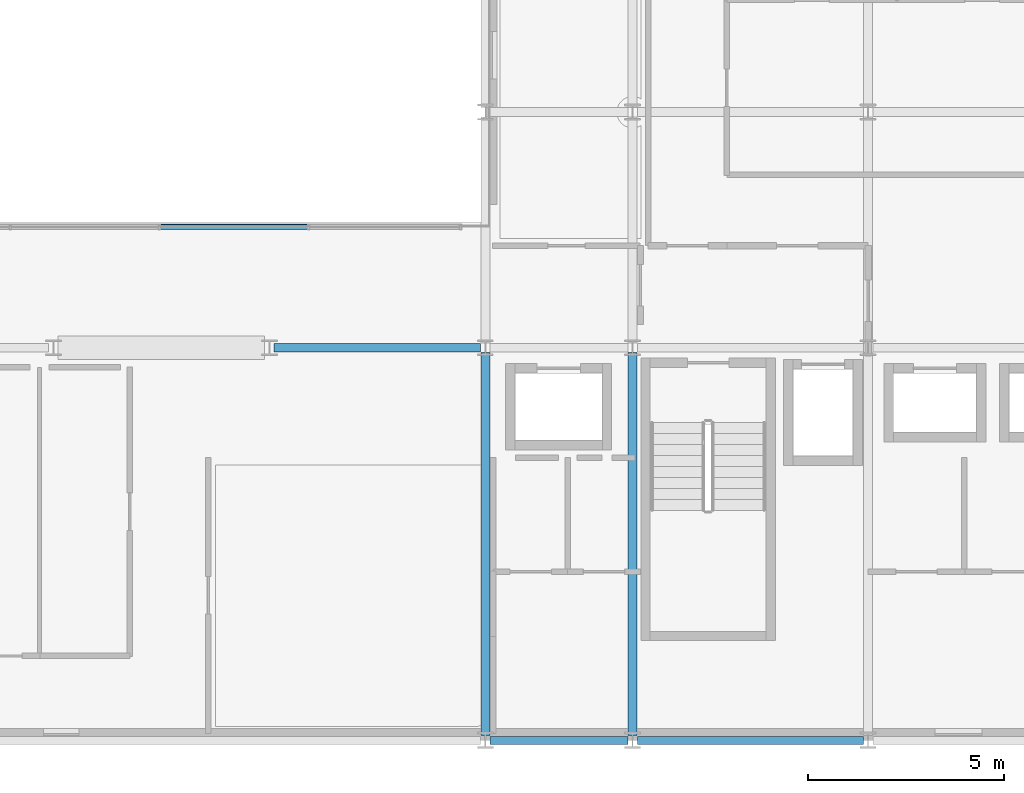
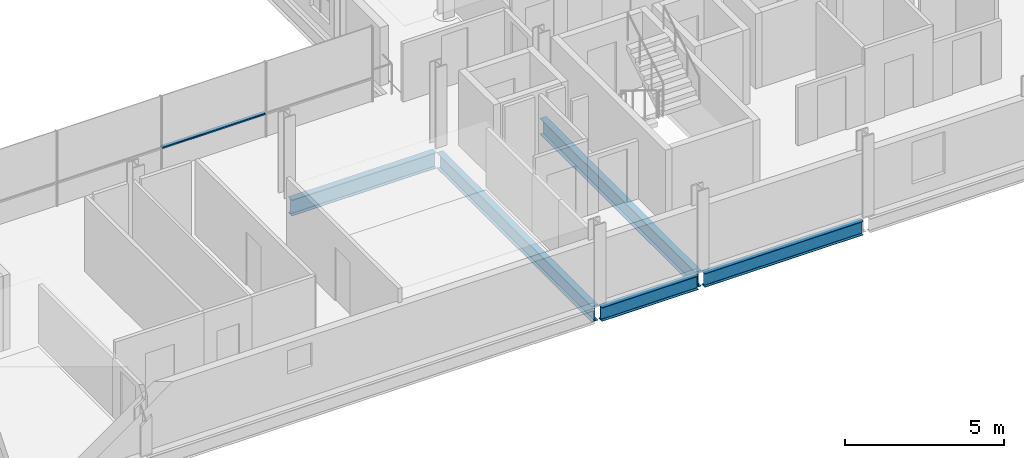
# One storey, part 14 of 40: 5 beams, 1 member, 1 element without a shape of its own.
"""IFC4 building model written with IfcOpenShell, lengths in metres."""

from ifc_helpers import new_model, si_unit, direction, frame, origin, origin_2d, place, context, subcontext, project, spatial, hollow_rectangle, i_section, extrude, material, layer, layer_set, material_profile, profile_set, type_object, element, aggregate, save


model = new_model("IFC4")

# Units and contexts
model_context = context("Model", 3, precision=1e-05, world=origin(), true_north=direction((0.0, 1.0)))
body_context = subcontext(model_context, "Body", "Model", "MODEL_VIEW")
ifc_project = project(units=[si_unit("LENGTHUNIT", "METRE"), si_unit("AREAUNIT", "SQUARE_METRE"), si_unit("VOLUMEUNIT", "CUBIC_METRE"), si_unit("PLANEANGLEUNIT", "RADIAN"), si_unit("MASSUNIT", "GRAM", prefix="KILO")], contexts=[model_context])

# Site, building, storey
site_placement = place(None, origin())
site = spatial("IfcSite", under=ifc_project, at=site_placement, CompositionType="ELEMENT")
building_placement = place(site_placement, origin())
building = spatial("IfcBuilding", under=site, at=building_placement, Name="Brevholm Reach", CompositionType="ELEMENT")
storey_placement = place(building_placement, frame((0.0, 0.0, 160.39990234375)))
storey = spatial("IfcBuildingStorey", under=building, at=storey_placement, Name="L48", CompositionType="ELEMENT", Elevation=160.39990234375)

# Beams
ifc_material_1 = material(Name="Structural Steel S355J2", Category="steel")
ifc_material_profile_1 = material_profile(ifc_material_1, i_section(OverallWidth=0.209228515625, OverallDepth=0.533203125, WebThickness=0.010009765625, FlangeThickness=0.015625, FilletRadius=0.0126953125, at=origin_2d()), Name="UKB 533x210x92")
ifc_profile_set_1 = profile_set([ifc_material_profile_1], Name="Structural Steel S355J2")
beam_type_1 = type_object("IfcBeamType", Name="BM-SP533", PredefinedType="SPANDREL", material=ifc_profile_set_1)
beam_1_placement = place(storey_placement, frame((38.3701171875, 0.0, -0.486572265625), z_axis=(1.0, 0.0, 0.0), x_axis=(0.0, 1.0, 0.0)))
element("IfcBeam", 1, at=beam_1_placement, inside=storey, type_object=beam_type_1, Name="L48 SP-02 Framing Beam", PredefinedType="SPANDREL", context=body_context, shape_type="SweptSolid", body=[
    extrude(i_section(OverallWidth=0.209228515625, OverallDepth=0.533203125, WebThickness=0.010009765625, FlangeThickness=0.015625, FilletRadius=0.0126953125, at=origin_2d()), origin(), (0.0, 0.0, 1.0), 3.509765625),
])
beam_2_placement = place(storey_placement, frame((42.1201171875, 0.0, -0.486572265625), z_axis=(1.0, 0.0, 0.0), x_axis=(0.0, 1.0, 0.0)))
element("IfcBeam", 2, at=beam_2_placement, inside=storey, type_object=beam_type_1, Name="L48 SP-02 Framing Beam", PredefinedType="SPANDREL", context=body_context, shape_type="SweptSolid", body=[
    extrude(i_section(OverallWidth=0.209228515625, OverallDepth=0.533203125, WebThickness=0.010009765625, FlangeThickness=0.015625, FilletRadius=0.0126953125, at=origin_2d()), origin(), (0.0, 0.0, 1.0), 5.759765625),
])
ifc_material_2 = material(Name="Structural Steel S355J2", Category="steel")
ifc_material_profile_2 = material_profile(ifc_material_2, i_section(OverallWidth=0.22900390625, OverallDepth=0.6123046875, WebThickness=0.011962890625, FlangeThickness=0.01953125, FilletRadius=0.0126953125, at=origin_2d()), Name="UKB 610x229x125")
ifc_profile_set_2 = profile_set([ifc_material_profile_2], Name="Structural Steel S355J2")
beam_type_2 = type_object("IfcBeamType", Name="BM-SP610", PredefinedType="SPANDREL", material=ifc_profile_set_2)
beam_3_placement = place(storey_placement, frame((32.8701171875, 10.0, -0.526123046875), z_axis=(1.0, 0.0, 0.0), x_axis=(0.0, 1.0, 0.0)))
element("IfcBeam", 3, at=beam_3_placement, inside=storey, type_object=beam_type_2, Name="L48 SP-01 Framing Beam", PredefinedType="SPANDREL", context=body_context, shape_type="SweptSolid", body=[
    extrude(i_section(OverallWidth=0.22900390625, OverallDepth=0.6123046875, WebThickness=0.011962890625, FlangeThickness=0.01953125, FilletRadius=0.0126953125, at=origin_2d()), origin(), (0.0, 0.0, 1.0), 5.259765625),
])
for number, where, z_axis, x_axis, name in (
    (4, (38.25, 0.1201171875, -0.526123046875), (0.0, 1.0, 0.0), (-1.0, 0.0, 0.0), "L48 SP-01 Framing Beam"),
    (5, (42.0, 0.1201171875, -0.526123046875), (0.0, 1.0, 0.0), (-1.0, 0.0, 0.0), "L48 SP-01 Framing Beam"),
):
    element("IfcBeam", number, at=place(storey_placement, frame(where, z_axis=z_axis, x_axis=x_axis)), inside=storey, type_object=beam_type_2, Name=name, PredefinedType="SPANDREL", context=body_context, shape_type="SweptSolid", body=[
        extrude(i_section(OverallWidth=0.22900390625, OverallDepth=0.6123046875, WebThickness=0.011962890625, FlangeThickness=0.01953125, FilletRadius=0.0126953125, at=origin_2d()), origin(), (0.0, 0.0, 1.0), 9.759765625),
    ])

# Curtain wall, member
ifc_material_3 = material(Name="Dark Anodised Aluminium 6063-T6 and Solar-Control Glass", Category="aluminium")
ifc_layer = layer(ifc_material_3, 0.139892578125)
ifc_layer_set = layer_set([ifc_layer], Name="Dark Anodised Aluminium 6063-T6 and Solar-Control Glass")
curtain_wall_type = type_object("IfcCurtainWallType", Name="CW-02", PredefinedType="NOTDEFINED", material=ifc_layer_set)
curtain_wall_placement = place(storey_placement, origin())
curtain_wall = element("IfcCurtainWall", 6, at=curtain_wall_placement, inside=storey, type_object=curtain_wall_type, Name="L48 Curtain Wall CW-02", PredefinedType="NOTDEFINED")
ifc_material_4 = material(Name="Dark Anodised Aluminium 6063-T6", Category="aluminium")
ifc_material_profile_3 = material_profile(ifc_material_4, hollow_rectangle(XDim=0.06005859375, YDim=0.139892578125, WallThickness=0.0048828125, InnerFilletRadius=0.0048828125, OuterFilletRadius=0.010009765625, at=origin_2d()), Name="RHS 140x60x5")
ifc_profile_set_3 = profile_set([ifc_material_profile_3], Name="Dark Anodised Aluminium 6063-T6")
member_type = type_object("IfcMemberType", Name="CWT-140", PredefinedType="NOTDEFINED", material=ifc_profile_set_3)
member_placement = place(storey_placement, frame((29.97998046875, 13.080078125, 0.900146484375), z_axis=(1.0, 0.0, 0.0), x_axis=(0.0, 0.0, 1.0)))
member = element("IfcMember", 7, at=member_placement, type_object=member_type, Name="CT-140 Transom 3.1", ObjectType="TRANSOM", PredefinedType="USERDEFINED", context=body_context, shape_type="SweptSolid", body=[
    extrude(hollow_rectangle(XDim=0.06005859375, YDim=0.139892578125, WallThickness=0.0048828125, InnerFilletRadius=0.0048828125, OuterFilletRadius=0.010009765625, at=origin_2d()), origin(), (0.0, 0.0, 1.0), 3.739990234375),
])
aggregate(curtain_wall, [member])

save(model, "model.ifc")
